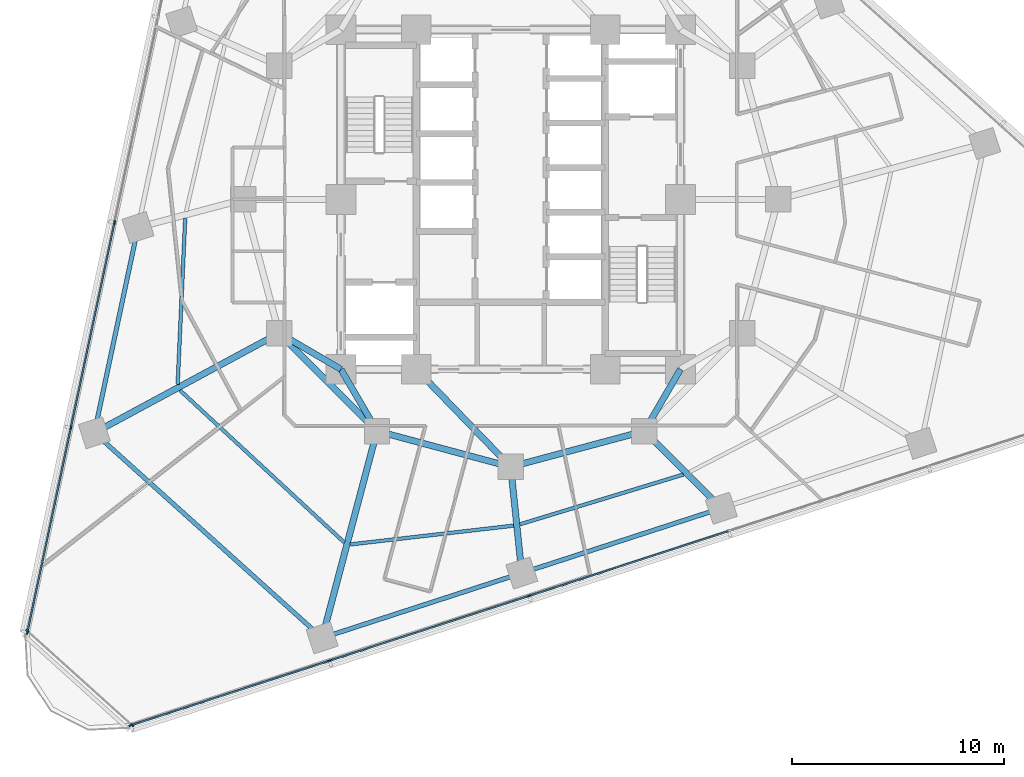
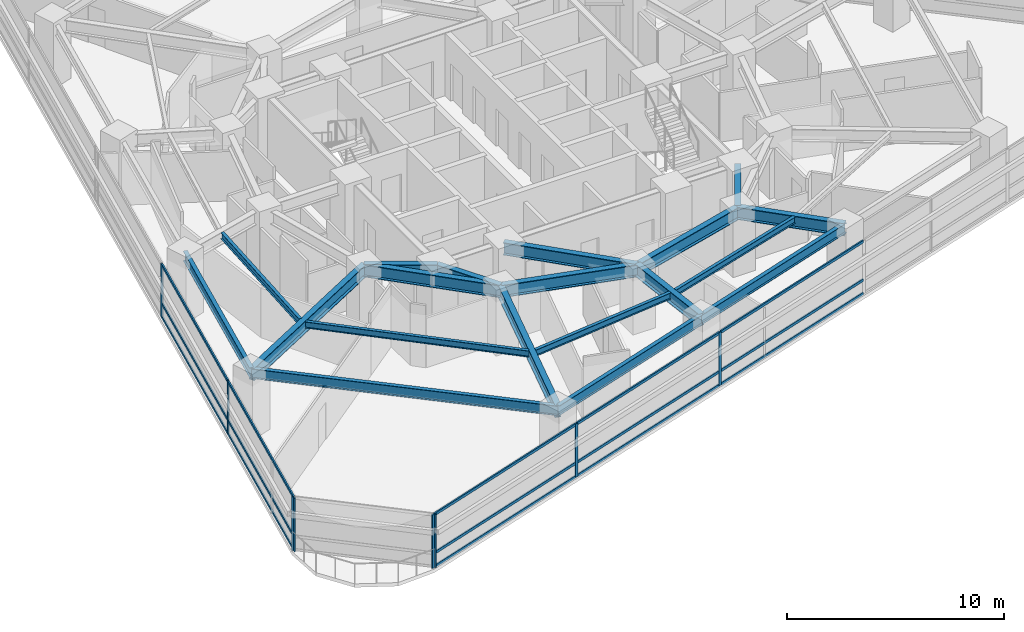
# One storey, part 2 of 13: 23 members, 19 beams, 3 elements without a shape of their own.
"""IFC4 building model written with IfcOpenShell, lengths in metres."""

from ifc_helpers import new_model, si_unit, direction, frame, origin, origin_2d, place, context, subcontext, project, spatial, rectangle, i_section, extrude, material, layer, layer_set, material_profile, profile_set, type_object, element, aggregate, save


model = new_model("IFC4")

# Units and contexts
model_context = context("Model", 3, precision=1e-05, world=origin(), true_north=direction((0.0, 1.0)))
body_context = subcontext(model_context, "Body", "Model", "MODEL_VIEW")
ifc_project = project(units=[si_unit("LENGTHUNIT", "METRE"), si_unit("AREAUNIT", "SQUARE_METRE"), si_unit("VOLUMEUNIT", "CUBIC_METRE"), si_unit("PLANEANGLEUNIT", "RADIAN"), si_unit("MASSUNIT", "GRAM", prefix="KILO")], contexts=[model_context])

# Site, building, storey
site_placement = place(None, origin())
site = spatial("IfcSite", under=ifc_project, at=site_placement, CompositionType="ELEMENT")
building_placement = place(site_placement, origin())
building = spatial("IfcBuilding", under=site, at=building_placement, Name="Terralouvre Media Tower", CompositionType="ELEMENT")
storey_placement = place(building_placement, frame((0.0, 0.0, 105.10009765625)))
storey = spatial("IfcBuildingStorey", under=building, at=storey_placement, Name="L26", CompositionType="ELEMENT", Elevation=105.10009765625)

# Beams
ifc_material_1 = material(Name="Structural steel S355J2", Category="steel")
ifc_material_profile_1 = material_profile(ifc_material_1, i_section(OverallWidth=0.169921875, OverallDepth=0.360107421875, WebThickness=0.008056640625, FlangeThickness=0.0126953125, at=origin_2d()), Name="IPE 360")
ifc_profile_set_1 = profile_set([ifc_material_profile_1], Name="Structural steel S355J2")
beam_type_1 = type_object("IfcBeamType", Name="Composite Floor Joist J-IPE360 (IPE 360)", PredefinedType="JOIST", material=ifc_profile_set_1)
beam_1_placement = place(storey_placement, frame((-15.33544921875, -0.882080078125, 3.31982421875), z_axis=(-0.045464200768, -0.998965968614, 0.0), x_axis=(0.998965968614, -0.045464200768, 0.0)))
element("IfcBeam", 1, at=beam_1_placement, inside=storey, type_object=beam_type_1, Name="L26 Framing Beam JT-L26-01", PredefinedType="JOIST", context=body_context, shape_type="SweptSolid", body=[
    extrude(i_section(OverallWidth=0.169921875, OverallDepth=0.360107421875, WebThickness=0.008056640625, FlangeThickness=0.0126953125, at=origin_2d()), origin(), (0.0, 0.0, 1.0), 7.834716796875),
])
beam_2_placement = place(storey_placement, frame((-15.584716796875, -8.988037109375, 3.31982421875), z_axis=(0.733637623699, -0.679540901707, 0.0), x_axis=(0.679540901707, 0.733637623699, 0.0)))
element("IfcBeam", 2, at=beam_2_placement, inside=storey, type_object=beam_type_1, Name="L26 Framing Beam JT-L26-02", PredefinedType="JOIST", context=body_context, shape_type="SweptSolid", body=[
    extrude(i_section(OverallWidth=0.169921875, OverallDepth=0.360107421875, WebThickness=0.008056640625, FlangeThickness=0.0126953125, at=origin_2d()), origin(), (0.0, 0.0, 1.0), 10.551513671875),
])
beam_3_placement = place(storey_placement, frame((-7.5625, -16.254150390625, 3.31982421875), z_axis=(0.993452319542, 0.114247489235, 0.0), x_axis=(-0.114247489235, 0.993452319542, 0.0)))
element("IfcBeam", 3, at=beam_3_placement, inside=storey, type_object=beam_type_1, Name="L26 Framing Beam JT-L26-03", PredefinedType="JOIST", context=body_context, shape_type="SweptSolid", body=[
    extrude(i_section(OverallWidth=0.169921875, OverallDepth=0.360107421875, WebThickness=0.008056640625, FlangeThickness=0.0126953125, at=origin_2d()), origin(), (0.0, 0.0, 1.0), 7.750732421875),
])
beam_4_placement = place(storey_placement, frame((0.430908203125, -15.307373046875, 3.31982421875), z_axis=(0.95657137257, 0.29149821471, 0.0), x_axis=(-0.29149821471, 0.95657137257, 0.0)))
element("IfcBeam", 4, at=beam_4_placement, inside=storey, type_object=beam_type_1, Name="L26 Framing Beam JT-L26-04", PredefinedType="JOIST", context=body_context, shape_type="SweptSolid", body=[
    extrude(i_section(OverallWidth=0.169921875, OverallDepth=0.360107421875, WebThickness=0.008056640625, FlangeThickness=0.0126953125, at=origin_2d()), origin(), (0.0, 0.0, 1.0), 8.052001953125),
])

# Curtain wall, members
ifc_material_2 = material(Name="Low-iron laminated double glazing with solar-control coating", Category="glass")
ifc_layer_1 = layer(ifc_material_2, 0.1650390625, Name="Lower Media Tower Unitised Curtain Wall CW-02")
ifc_layer_set_1 = layer_set([ifc_layer_1], Name="Low-iron laminated double glazing with solar-control coating")
curtain_wall_type_1 = type_object("IfcCurtainWallType", Name="Lower Media Tower Unitised Curtain Wall CW-02", PredefinedType="NOTDEFINED", material=ifc_layer_set_1)
curtain_wall_1_placement = place(storey_placement, origin())
curtain_wall_1 = element("IfcCurtainWall", 5, at=curtain_wall_1_placement, inside=storey, type_object=curtain_wall_type_1, Name="L26 Facade Curtain Wall F0", PredefinedType="NOTDEFINED")
ifc_material_3 = material(Name="Anodised extruded aluminium 6063-T6", Category="aluminium")
ifc_material_profile_2 = material_profile(ifc_material_3, rectangle(XDim=0.074951171875, YDim=0.14990234375, at=origin_2d()), Name="ALU 75x150")
ifc_profile_set_2 = profile_set([ifc_material_profile_2], Name="Anodised extruded aluminium 6063-T6")
member_type_1 = type_object("IfcMemberType", Name="Curtain-Wall Horizontal Transom TR-150", PredefinedType="USERDEFINED", material=ifc_profile_set_2)
member_1_placement = place(storey_placement, frame((-17.866455078125, -24.765380859375, 0.037353515625), z_axis=(0.951048750541, 0.309040893886, 0.0), x_axis=(-0.309040893886, 0.951048750541, 0.0)))
member_1 = element("IfcMember", 6, at=member_1_placement, type_object=member_type_1, Name="CW-02 transom 1.1", ObjectType="TRANSOM", PredefinedType="USERDEFINED", context=body_context, shape_type="SweptSolid", body=[
    extrude(rectangle(XDim=0.074951171875, YDim=0.14990234375, at=origin_2d()), origin(), (0.0, 0.0, 1.0), 9.775390625),
])
member_2_placement = place(storey_placement, frame((-17.866455078125, -24.765380859375, 0.7998046875), z_axis=(0.951048750541, 0.309040893886, 0.0), x_axis=(-0.309040893886, 0.951048750541, 0.0)))
member_2 = element("IfcMember", 7, at=member_2_placement, type_object=member_type_1, Name="CW-02 transom 1.2", ObjectType="TRANSOM", PredefinedType="USERDEFINED", context=body_context, shape_type="SweptSolid", body=[
    extrude(rectangle(XDim=0.074951171875, YDim=0.14990234375, at=origin_2d()), origin(), (0.0, 0.0, 1.0), 9.775390625),
])
member_3_placement = place(storey_placement, frame((-17.866455078125, -24.765380859375, 2.96240234375), z_axis=(0.951048750541, 0.309040893886, 0.0), x_axis=(-0.309040893886, 0.951048750541, 0.0)))
member_3 = element("IfcMember", 8, at=member_3_placement, type_object=member_type_1, Name="CW-02 transom 1.3", ObjectType="TRANSOM", PredefinedType="USERDEFINED", context=body_context, shape_type="SweptSolid", body=[
    extrude(rectangle(XDim=0.074951171875, YDim=0.14990234375, at=origin_2d()), origin(), (0.0, 0.0, 1.0), 9.775390625),
])
member_4_placement = place(storey_placement, frame((-8.498291015625, -21.72119140625, 0.037353515625), z_axis=(0.951061672682, 0.309001124198, 0.0), x_axis=(-0.309001124198, 0.951061672682, 0.0)))
member_4 = element("IfcMember", 9, at=member_4_placement, type_object=member_type_1, Name="CW-02 transom 2.1", ObjectType="TRANSOM", PredefinedType="USERDEFINED", context=body_context, shape_type="SweptSolid", body=[
    extrude(rectangle(XDim=0.074951171875, YDim=0.14990234375, at=origin_2d()), origin(), (0.0, 0.0, 1.0), 9.81298828125),
])
member_5_placement = place(storey_placement, frame((-8.498291015625, -21.72119140625, 0.7998046875), z_axis=(0.951061672682, 0.309001124198, 0.0), x_axis=(-0.309001124198, 0.951061672682, 0.0)))
member_5 = element("IfcMember", 10, at=member_5_placement, type_object=member_type_1, Name="CW-02 transom 2.2", ObjectType="TRANSOM", PredefinedType="USERDEFINED", context=body_context, shape_type="SweptSolid", body=[
    extrude(rectangle(XDim=0.074951171875, YDim=0.14990234375, at=origin_2d()), origin(), (0.0, 0.0, 1.0), 9.81298828125),
])
member_6_placement = place(storey_placement, frame((-8.498291015625, -21.72119140625, 2.96240234375), z_axis=(0.951061672682, 0.309001124198, 0.0), x_axis=(-0.309001124198, 0.951061672682, 0.0)))
member_6 = element("IfcMember", 11, at=member_6_placement, type_object=member_type_1, Name="CW-02 transom 2.3", ObjectType="TRANSOM", PredefinedType="USERDEFINED", context=body_context, shape_type="SweptSolid", body=[
    extrude(rectangle(XDim=0.074951171875, YDim=0.14990234375, at=origin_2d()), origin(), (0.0, 0.0, 1.0), 9.81298828125),
])
member_7_placement = place(storey_placement, frame((0.90576171875, -18.665771484375, 0.037353515625), z_axis=(0.95105436096, 0.309023627736, 0.0), x_axis=(-0.309023627736, 0.95105436096, 0.0)))
member_7 = element("IfcMember", 12, at=member_7_placement, type_object=member_type_1, Name="CW-02 transom 3.1", ObjectType="TRANSOM", PredefinedType="USERDEFINED", context=body_context, shape_type="SweptSolid", body=[
    extrude(rectangle(XDim=0.074951171875, YDim=0.14990234375, at=origin_2d()), origin(), (0.0, 0.0, 1.0), 9.81298828125),
])
member_8_placement = place(storey_placement, frame((0.90576171875, -18.665771484375, 0.7998046875), z_axis=(0.95105436096, 0.309023627736, 0.0), x_axis=(-0.309023627736, 0.95105436096, 0.0)))
member_8 = element("IfcMember", 13, at=member_8_placement, type_object=member_type_1, Name="CW-02 transom 3.2", ObjectType="TRANSOM", PredefinedType="USERDEFINED", context=body_context, shape_type="SweptSolid", body=[
    extrude(rectangle(XDim=0.074951171875, YDim=0.14990234375, at=origin_2d()), origin(), (0.0, 0.0, 1.0), 9.81298828125),
])
member_9_placement = place(storey_placement, frame((0.90576171875, -18.665771484375, 2.96240234375), z_axis=(0.95105436096, 0.309023627736, 0.0), x_axis=(-0.309023627736, 0.95105436096, 0.0)))
member_9 = element("IfcMember", 14, at=member_9_placement, type_object=member_type_1, Name="CW-02 transom 3.3", ObjectType="TRANSOM", PredefinedType="USERDEFINED", context=body_context, shape_type="SweptSolid", body=[
    extrude(rectangle(XDim=0.074951171875, YDim=0.14990234375, at=origin_2d()), origin(), (0.0, 0.0, 1.0), 9.81298828125),
])

curtain_wall_2_placement = place(storey_placement, origin())
curtain_wall_2 = element("IfcCurtainWall", 15, at=curtain_wall_2_placement, inside=storey, type_object=curtain_wall_type_1, Name="L26 Facade Curtain Wall F2", PredefinedType="NOTDEFINED")
member_10_placement = place(storey_placement, frame((-18.673828125, -1.12353515625, 0.037353515625), z_axis=(-0.207914695346, -0.978146962097, 0.0), x_axis=(0.978146962097, -0.207914695346, 0.0)))
member_10 = element("IfcMember", 16, at=member_10_placement, type_object=member_type_1, Name="CW-02 transom 4.1", ObjectType="TRANSOM", PredefinedType="USERDEFINED", context=body_context, shape_type="SweptSolid", body=[
    extrude(rectangle(XDim=0.074951171875, YDim=0.14990234375, at=origin_2d()), origin(), (0.0, 0.0, 1.0), 9.81298828125),
])
member_11_placement = place(storey_placement, frame((-18.673828125, -1.12353515625, 0.7998046875), z_axis=(-0.207914695346, -0.978146962097, 0.0), x_axis=(0.978146962097, -0.207914695346, 0.0)))
member_11 = element("IfcMember", 17, at=member_11_placement, type_object=member_type_1, Name="CW-02 transom 4.2", ObjectType="TRANSOM", PredefinedType="USERDEFINED", context=body_context, shape_type="SweptSolid", body=[
    extrude(rectangle(XDim=0.074951171875, YDim=0.14990234375, at=origin_2d()), origin(), (0.0, 0.0, 1.0), 9.81298828125),
])
member_12_placement = place(storey_placement, frame((-18.673828125, -1.12353515625, 2.96240234375), z_axis=(-0.207914695346, -0.978146962097, 0.0), x_axis=(0.978146962097, -0.207914695346, 0.0)))
member_12 = element("IfcMember", 18, at=member_12_placement, type_object=member_type_1, Name="CW-02 transom 4.3", ObjectType="TRANSOM", PredefinedType="USERDEFINED", context=body_context, shape_type="SweptSolid", body=[
    extrude(rectangle(XDim=0.074951171875, YDim=0.14990234375, at=origin_2d()), origin(), (0.0, 0.0, 1.0), 9.81298828125),
])
member_13_placement = place(storey_placement, frame((-20.7294921875, -10.79541015625, 0.037353515625), z_axis=(-0.207911922732, -0.978147551439, 0.0), x_axis=(0.978147551439, -0.207911922732, 0.0)))
member_13 = element("IfcMember", 19, at=member_13_placement, type_object=member_type_1, Name="CW-02 transom 5.1", ObjectType="TRANSOM", PredefinedType="USERDEFINED", context=body_context, shape_type="SweptSolid", body=[
    extrude(rectangle(XDim=0.074951171875, YDim=0.14990234375, at=origin_2d()), origin(), (0.0, 0.0, 1.0), 9.775634765625),
])
member_14_placement = place(storey_placement, frame((-20.7294921875, -10.79541015625, 0.7998046875), z_axis=(-0.207911922732, -0.978147551439, 0.0), x_axis=(0.978147551439, -0.207911922732, 0.0)))
member_14 = element("IfcMember", 20, at=member_14_placement, type_object=member_type_1, Name="CW-02 transom 5.2", ObjectType="TRANSOM", PredefinedType="USERDEFINED", context=body_context, shape_type="SweptSolid", body=[
    extrude(rectangle(XDim=0.074951171875, YDim=0.14990234375, at=origin_2d()), origin(), (0.0, 0.0, 1.0), 9.775634765625),
])
member_15_placement = place(storey_placement, frame((-20.7294921875, -10.79541015625, 2.96240234375), z_axis=(-0.207911922732, -0.978147551439, 0.0), x_axis=(0.978147551439, -0.207911922732, 0.0)))
member_15 = element("IfcMember", 21, at=member_15_placement, type_object=member_type_1, Name="CW-02 transom 5.3", ObjectType="TRANSOM", PredefinedType="USERDEFINED", context=body_context, shape_type="SweptSolid", body=[
    extrude(rectangle(XDim=0.074951171875, YDim=0.14990234375, at=origin_2d()), origin(), (0.0, 0.0, 1.0), 9.775634765625),
])

# Member
ifc_material_4 = material(Name="Anodised extruded aluminium 6063-T6", Category="aluminium")
ifc_material_profile_3 = material_profile(ifc_material_4, rectangle(XDim=0.074951171875, YDim=0.179931640625, at=origin_2d()), Name="ALU 75x180")
ifc_profile_set_3 = profile_set([ifc_material_profile_3], Name="Anodised extruded aluminium 6063-T6")
member_type_2 = type_object("IfcMemberType", Name="Curtain-Wall Vertical Mullion ML-180", PredefinedType="MULLION", material=ifc_profile_set_3)
member_16_placement = place(storey_placement, frame((-17.90234375, -24.77685546875, 0.0), z_axis=(0.0, 0.0, 1.0), x_axis=(-0.309017015439, 0.951056509451, 0.0)))
member_16 = element("IfcMember", 22, at=member_16_placement, type_object=member_type_2, Name="CW-02 mullion 1", PredefinedType="MULLION", context=body_context, shape_type="SweptSolid", body=[
    extrude(rectangle(XDim=0.074951171875, YDim=0.179931640625, at=origin_2d()), origin(), (0.0, 0.0, 1.0), 3.0),
])

member_17_placement = place(storey_placement, frame((-8.533935546875, -21.73291015625, 0.0), z_axis=(0.0, 0.0, 1.0), x_axis=(-0.309017015439, 0.951056509451, 0.0)))
member_17 = element("IfcMember", 23, at=member_17_placement, type_object=member_type_2, Name="CW-02 mullion 2", PredefinedType="MULLION", context=body_context, shape_type="SweptSolid", body=[
    extrude(rectangle(XDim=0.074951171875, YDim=0.179931640625, at=origin_2d()), origin(), (0.0, 0.0, 1.0), 3.0),
])

member_18_placement = place(storey_placement, frame((0.8701171875, -18.67724609375, 0.0), z_axis=(0.0, 0.0, 1.0), x_axis=(-0.309017015439, 0.951056509451, 0.0)))
member_18 = element("IfcMember", 24, at=member_18_placement, type_object=member_type_2, Name="CW-02 mullion 3", PredefinedType="MULLION", context=body_context, shape_type="SweptSolid", body=[
    extrude(rectangle(XDim=0.074951171875, YDim=0.179931640625, at=origin_2d()), origin(), (0.0, 0.0, 1.0), 3.0),
])

aggregate(curtain_wall_1, [member_16, member_17, member_18, member_1, member_2, member_3, member_4, member_5, member_6, member_7, member_8, member_9])

member_19_placement = place(storey_placement, frame((-18.666015625, -1.0869140625, 0.0), z_axis=(0.0, 0.0, 1.0), x_axis=(0.978147610709, -0.207911643887, 0.0)))
member_19 = element("IfcMember", 25, at=member_19_placement, type_object=member_type_2, Name="CW-02 mullion 4", PredefinedType="MULLION", context=body_context, shape_type="SweptSolid", body=[
    extrude(rectangle(XDim=0.074951171875, YDim=0.179931640625, at=origin_2d()), origin(), (0.0, 0.0, 1.0), 3.0),
])

member_20_placement = place(storey_placement, frame((-20.7216796875, -10.7587890625, 0.0), z_axis=(0.0, 0.0, 1.0), x_axis=(0.978147610709, -0.207911643887, 0.0)))
member_20 = element("IfcMember", 26, at=member_20_placement, type_object=member_type_2, Name="CW-02 mullion 5", PredefinedType="MULLION", context=body_context, shape_type="SweptSolid", body=[
    extrude(rectangle(XDim=0.074951171875, YDim=0.179931640625, at=origin_2d()), origin(), (0.0, 0.0, 1.0), 3.0),
])

member_21_placement = place(storey_placement, frame((-22.769775390625, -20.39404296875, 0.0), z_axis=(0.0, 0.0, 1.0), x_axis=(0.978147610709, -0.207911643887, 0.0)))
member_21 = element("IfcMember", 27, at=member_21_placement, type_object=member_type_2, Name="CW-02 mullion 6", PredefinedType="MULLION", context=body_context, shape_type="SweptSolid", body=[
    extrude(rectangle(XDim=0.074951171875, YDim=0.179931640625, at=origin_2d()), origin(), (0.0, 0.0, 1.0), 3.0),
])

aggregate(curtain_wall_2, [member_19, member_20, member_21, member_10, member_11, member_12, member_13, member_14, member_15])

# Curtain wall, members
ifc_material_5 = material(Name="Low-iron laminated double glazing with solar-control coating", Category="glass")
ifc_layer_2 = layer(ifc_material_5, 0.1650390625, Name="Rounded Wind-Corner Curved Glazing CW-04")
ifc_layer_set_2 = layer_set([ifc_layer_2], Name="Low-iron laminated double glazing with solar-control coating")
curtain_wall_type_2 = type_object("IfcCurtainWallType", Name="Rounded Wind-Corner Curved Glazing CW-04", PredefinedType="NOTDEFINED", material=ifc_layer_set_2)
curtain_wall_3_placement = place(storey_placement, origin())
curtain_wall_3 = element("IfcCurtainWall", 28, at=curtain_wall_3_placement, inside=storey, type_object=curtain_wall_type_2, Name="L26 Rounded Wind-Corner Curtain Wall C0", PredefinedType="NOTDEFINED")
member_22_placement = place(storey_placement, frame((-22.7734375, -20.326904296875, 0.0), z_axis=(0.0, 0.0, 1.0), x_axis=(0.669130780732, 0.743144668471, 0.0)))
member_22 = element("IfcMember", 29, at=member_22_placement, type_object=member_type_2, Name="CW-04 mullion 1", PredefinedType="MULLION", context=body_context, shape_type="SweptSolid", body=[
    extrude(rectangle(XDim=0.074951171875, YDim=0.179931640625, at=origin_2d()), origin(), (0.0, 0.0, 1.0), 3.0),
])
member_23_placement = place(storey_placement, frame((-17.8349609375, -24.7734375, 0.0), z_axis=(0.0, 0.0, 1.0), x_axis=(0.669130780732, 0.743144668471, 0.0)))
member_23 = element("IfcMember", 30, at=member_23_placement, type_object=member_type_2, Name="CW-04 mullion 2", PredefinedType="MULLION", context=body_context, shape_type="SweptSolid", body=[
    extrude(rectangle(XDim=0.074951171875, YDim=0.179931640625, at=origin_2d()), origin(), (0.0, 0.0, 1.0), 3.0),
])
aggregate(curtain_wall_3, [member_22, member_23])

# Beams
ifc_material_6 = material(Name="Structural steel S355J2", Category="steel")
ifc_material_profile_4 = material_profile(ifc_material_6, i_section(OverallWidth=0.2099609375, OverallDepth=0.550048828125, WebThickness=0.010986328125, FlangeThickness=0.01708984375, at=origin_2d()), Name="IPE 550")
ifc_profile_set_4 = profile_set([ifc_material_profile_4], Name="Structural steel S355J2")
beam_type_2 = type_object("IfcBeamType", Name="Perimeter Spandrel Beam SPB-550 (IPE 550)", PredefinedType="SPANDREL", material=ifc_profile_set_4)
beam_5_placement = place(storey_placement, frame((-17.560791015625, -1.32177734375, 3.224853515625), z_axis=(-0.207896554112, -0.978150818017, 0.0), x_axis=(0.978150818017, -0.207896554112, 0.0)))
element("IfcBeam", 31, at=beam_5_placement, inside=storey, type_object=beam_type_2, Name="L26 Framing Beam BM-L26-PR01", PredefinedType="SPANDREL", context=body_context, shape_type="SweptSolid", body=[
    extrude(i_section(OverallWidth=0.2099609375, OverallDepth=0.550048828125, WebThickness=0.010986328125, FlangeThickness=0.01708984375, at=origin_2d()), origin(), (0.0, 0.0, 1.0), 9.887939453125),
])
beam_6_placement = place(storey_placement, frame((-19.616455078125, -10.99365234375, 3.224853515625), z_axis=(0.743139474617, -0.669136549044, 0.0), x_axis=(0.669136549044, 0.743139474617, 0.0)))
element("IfcBeam", 32, at=beam_6_placement, inside=storey, type_object=beam_type_2, Name="L26 Framing Beam BM-L26-PR02", PredefinedType="SPANDREL", context=body_context, shape_type="SweptSolid", body=[
    extrude(i_section(OverallWidth=0.2099609375, OverallDepth=0.550048828125, WebThickness=0.010986328125, FlangeThickness=0.01708984375, at=origin_2d()), origin(), (0.0, 0.0, 1.0), 14.443359375),
])
for number, where, z_axis, x_axis, name in (
    (33, (-8.883056640625, -20.658203125, 3.224853515625), (0.95105348149, 0.309026334389, 0.0), (-0.309026334389, 0.95105348149, 0.0), "L26 Framing Beam BM-L26-PR03"),
    (34, (0.52099609375, -17.6025390625, 3.224853515625), (0.951060737836, 0.309004001506, 0.0), (-0.309004001506, 0.951060737836, 0.0), "L26 Framing Beam BM-L26-PR04"),
):
    element("IfcBeam", number, at=place(storey_placement, frame(where, z_axis=z_axis, x_axis=x_axis)), inside=storey, type_object=beam_type_2, Name=name, PredefinedType="SPANDREL", context=body_context, shape_type="SweptSolid", body=[
        extrude(i_section(OverallWidth=0.2099609375, OverallDepth=0.550048828125, WebThickness=0.010986328125, FlangeThickness=0.01708984375, at=origin_2d()), origin(), (0.0, 0.0, 1.0), 9.887939453125),
    ])
ifc_material_7 = material(Name="Structural steel S460M", Category="steel")
ifc_material_profile_5 = material_profile(ifc_material_7, i_section(OverallWidth=0.300048828125, OverallDepth=0.699951171875, WebThickness=0.01708984375, FlangeThickness=0.031982421875, at=origin_2d()), Name="HEB 700")
ifc_profile_set_5 = profile_set([ifc_material_profile_5], Name="Structural steel S460M")
beam_type_3 = type_object("IfcBeamType", Name="Primary Floor Girder B-HEB700 (HEB 700)", PredefinedType="BEAM", material=ifc_profile_set_5)
beam_7_placement = place(storey_placement, frame((-10.911865234375, -6.300048828125, 3.14990234375), z_axis=(0.707106781187, -0.707106781187, 0.0), x_axis=(0.707106781187, 0.707106781187, 0.0)))
element("IfcBeam", 35, at=beam_7_placement, inside=storey, type_object=beam_type_3, Name="L26 Framing Beam BM-L26-MR01", PredefinedType="BEAM", context=body_context, shape_type="SweptSolid", body=[
    extrude(i_section(OverallWidth=0.300048828125, OverallDepth=0.699951171875, WebThickness=0.01708984375, FlangeThickness=0.031982421875, at=origin_2d()), origin(), (0.0, 0.0, 1.0), 6.52197265625),
])
for number, where, z_axis, x_axis, name in (
    (36, (-6.300048828125, -10.911865234375, 3.14990234375), (0.965920481897, -0.258838989821, 0.0), (0.258838989821, 0.965920481897, 0.0), "L26 Framing Beam BM-L26-MR02"),
    (37, (0.0, -12.60009765625, 3.14990234375), (0.965920481897, 0.258838989821, 0.0), (-0.258838989821, 0.965920481897, 0.0), "L26 Framing Beam BM-L26-MR03"),
):
    element("IfcBeam", number, at=place(storey_placement, frame(where, z_axis=z_axis, x_axis=x_axis)), inside=storey, type_object=beam_type_3, Name=name, PredefinedType="BEAM", context=body_context, shape_type="SweptSolid", body=[
        extrude(i_section(OverallWidth=0.300048828125, OverallDepth=0.699951171875, WebThickness=0.01708984375, FlangeThickness=0.031982421875, at=origin_2d()), origin(), (0.0, 0.0, 1.0), 6.522216796875),
    ])
for number, where, z_axis, x_axis, name in (
    (38, (-8.0, -8.0, 3.14990234375), (-0.863602894532, 0.504172629717, 0.0), (-0.504172629717, -0.863602894532, 0.0), "L26 Framing Beam BM-L26-CM01"),
    (39, (-8.0, -8.0, 3.14990234375), (0.504172629717, -0.863602894532, 0.0), (0.863602894532, 0.504172629717, 0.0), "L26 Framing Beam BM-L26-CM02"),
):
    element("IfcBeam", number, at=place(storey_placement, frame(where, z_axis=z_axis, x_axis=x_axis)), inside=storey, type_object=beam_type_3, Name=name, PredefinedType="BEAM", context=body_context, shape_type="SweptSolid", body=[
        extrude(i_section(OverallWidth=0.300048828125, OverallDepth=0.699951171875, WebThickness=0.01708984375, FlangeThickness=0.031982421875, at=origin_2d()), origin(), (0.0, 0.0, 1.0), 3.371826171875),
    ])
beam_8_placement = place(storey_placement, frame((-4.449951171875, -8.0, 3.14990234375), z_axis=(0.695279715726, -0.718739255155, 0.0), x_axis=(0.718739255155, 0.695279715726, 0.0)))
element("IfcBeam", 40, at=beam_8_placement, inside=storey, type_object=beam_type_3, Name="L26 Framing Beam BM-L26-CM03", PredefinedType="BEAM", context=body_context, shape_type="SweptSolid", body=[
    extrude(i_section(OverallWidth=0.300048828125, OverallDepth=0.699951171875, WebThickness=0.01708984375, FlangeThickness=0.031982421875, at=origin_2d()), origin(), (0.0, 0.0, 1.0), 6.400146484375),
])
beam_9_placement = place(storey_placement, frame((8.0, -8.0, 3.14990234375), z_axis=(-0.504172629717, -0.863602894532, 0.0), x_axis=(0.863602894532, -0.504172629717, 0.0)))
element("IfcBeam", 41, at=beam_9_placement, inside=storey, type_object=beam_type_3, Name="L26 Framing Beam BM-L26-CM04", PredefinedType="BEAM", context=body_context, shape_type="SweptSolid", body=[
    extrude(i_section(OverallWidth=0.300048828125, OverallDepth=0.699951171875, WebThickness=0.01708984375, FlangeThickness=0.031982421875, at=origin_2d()), origin(), (0.0, 0.0, 1.0), 3.371826171875),
])
beam_10_placement = place(storey_placement, frame((-10.911865234375, -6.300048828125, 3.14990234375), z_axis=(-0.880195882447, -0.47461058619, 0.0), x_axis=(0.47461058619, -0.880195882447, 0.0)))
element("IfcBeam", 42, at=beam_10_placement, inside=storey, type_object=beam_type_3, Name="L26 Framing Beam BM-L26-RD02", PredefinedType="BEAM", context=body_context, shape_type="SweptSolid", body=[
    extrude(i_section(OverallWidth=0.300048828125, OverallDepth=0.699951171875, WebThickness=0.01708984375, FlangeThickness=0.031982421875, at=origin_2d()), origin(), (0.0, 0.0, 1.0), 9.889404296875),
])
beam_11_placement = place(storey_placement, frame((-6.300048828125, -10.911865234375, 3.14990234375), z_axis=(-0.25617939255, -0.966629256144, 0.0), x_axis=(0.966629256144, -0.25617939255, 0.0)))
element("IfcBeam", 43, at=beam_11_placement, inside=storey, type_object=beam_type_3, Name="L26 Framing Beam BM-L26-RD03", PredefinedType="BEAM", context=body_context, shape_type="SweptSolid", body=[
    extrude(i_section(OverallWidth=0.300048828125, OverallDepth=0.699951171875, WebThickness=0.01708984375, FlangeThickness=0.031982421875, at=origin_2d()), origin(), (0.0, 0.0, 1.0), 10.082763671875),
])
beam_12_placement = place(storey_placement, frame((0.0, -12.60009765625, 3.14990234375), z_axis=(0.103588076486, -0.994620284536, 0.0), x_axis=(0.994620284536, 0.103588076486, 0.0)))
element("IfcBeam", 44, at=beam_12_placement, inside=storey, type_object=beam_type_3, Name="L26 Framing Beam BM-L26-RD04", PredefinedType="BEAM", context=body_context, shape_type="SweptSolid", body=[
    extrude(i_section(OverallWidth=0.300048828125, OverallDepth=0.699951171875, WebThickness=0.01708984375, FlangeThickness=0.031982421875, at=origin_2d()), origin(), (0.0, 0.0, 1.0), 5.029541015625),
])
beam_13_placement = place(storey_placement, frame((6.300048828125, -10.911865234375, 3.14990234375), z_axis=(0.706107405732, -0.708104746185, 0.0), x_axis=(0.708104746185, 0.706107405732, 0.0)))
element("IfcBeam", 45, at=beam_13_placement, inside=storey, type_object=beam_type_3, Name="L26 Framing Beam BM-L26-RD05", PredefinedType="BEAM", context=body_context, shape_type="SweptSolid", body=[
    extrude(i_section(OverallWidth=0.300048828125, OverallDepth=0.699951171875, WebThickness=0.01708984375, FlangeThickness=0.031982421875, at=origin_2d()), origin(), (0.0, 0.0, 1.0), 5.1337890625),
])

save(model, "model.ifc")
